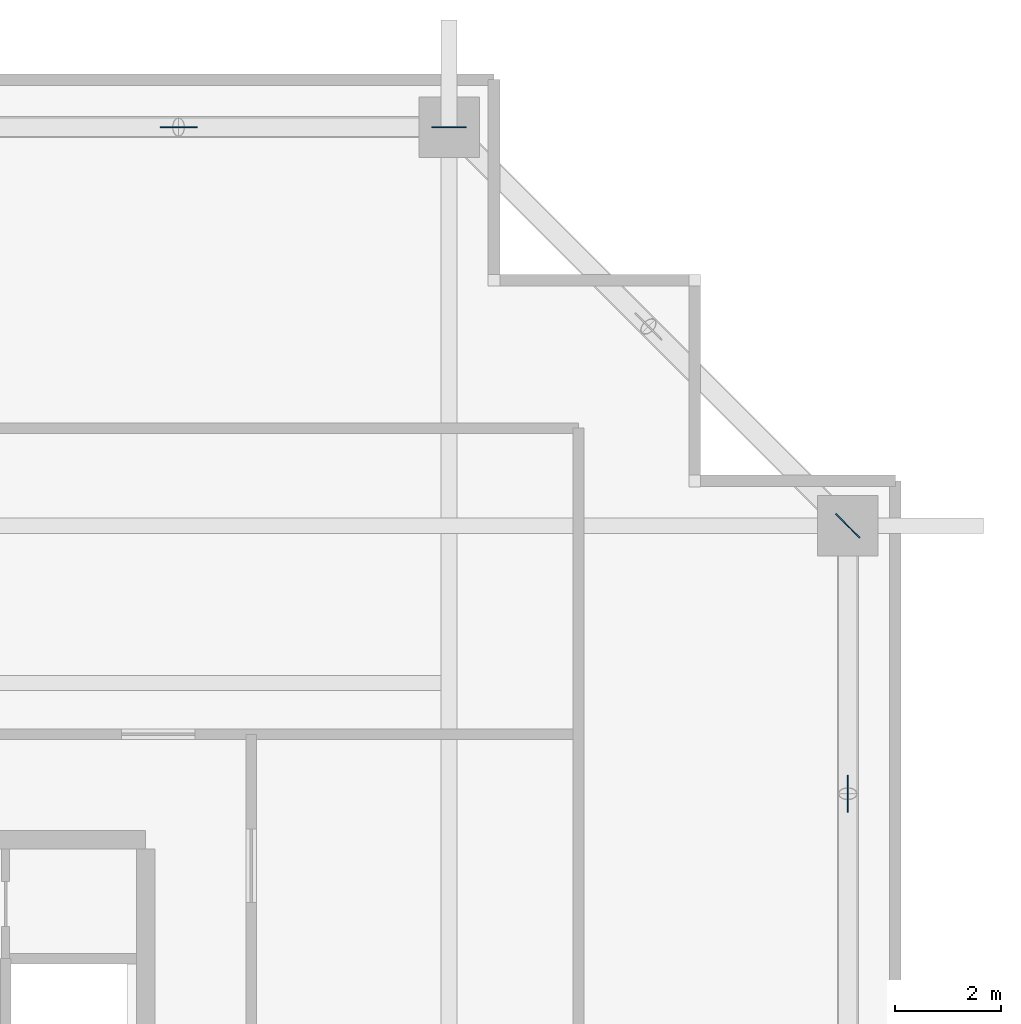
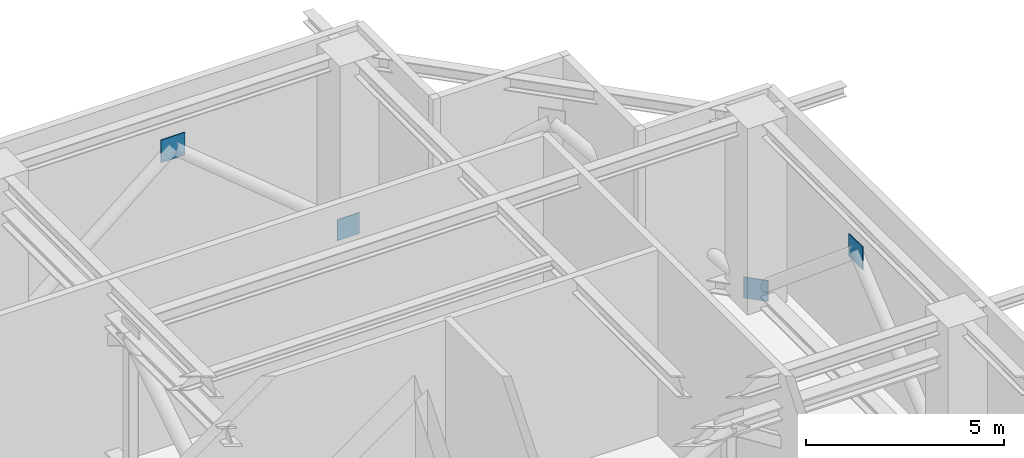
# One storey, part 14 of 22: 4 plates.
"""IFC4 building model written with IfcOpenShell, lengths in metres."""

from ifc_helpers import new_model, si_unit, direction, frame, origin, origin_2d, place, context, subcontext, project, spatial, rectangle, extrude, source, transform, mapped, material, layer, layer_set, type_object, element, save


model = new_model("IFC4")

# Units and contexts
model_context = context("Model", 3, precision=1e-05, world=origin(), true_north=direction((0.0, 1.0)))
body_context = subcontext(model_context, "Body", "Model", "MODEL_VIEW")
ifc_project = project(units=[si_unit("LENGTHUNIT", "METRE"), si_unit("AREAUNIT", "SQUARE_METRE"), si_unit("VOLUMEUNIT", "CUBIC_METRE"), si_unit("PLANEANGLEUNIT", "RADIAN"), si_unit("MASSUNIT", "GRAM", prefix="KILO")], contexts=[model_context])

# Site, building, storey
site_placement = place(None, origin())
site = spatial("IfcSite", under=ifc_project, at=site_placement, CompositionType="ELEMENT")
building_placement = place(site_placement, origin())
building = spatial("IfcBuilding", under=site, at=building_placement, Name="Serunith Strait Residences", CompositionType="ELEMENT")
storey_placement = place(building_placement, frame((0.0, 0.0, 287.449951171875)))
storey = spatial("IfcBuildingStorey", under=building, at=storey_placement, Name="L72", CompositionType="ELEMENT", Elevation=287.449951171875)

# Plates
ifc_material = material(Name="Steel S460M", Category="steel")
ifc_layer = layer(ifc_material, 0.02490234375, Name="Steel S460M")
ifc_layer_set = layer_set([ifc_layer], Name="Steel S460M")
plate_type = type_object("IfcPlateType", Name="PLT-CAP-25", PredefinedType="SHEET", material=ifc_layer_set)
shared_shape_1 = source(origin(), body_context, "Body", "SweptSolid", [
    extrude(rectangle(XDim=0.699951171875, YDim=0.02490234375, at=origin_2d()), origin(), (0.0, 0.0, 1.0), 0.699951171875),
])
for number, where, z_axis, x_axis, name in (
    (1, (54.699951171875, 34.47509765625, 4.14013671875), (0.0, 0.0, 1.0), (0.0, 1.0, 0.0), "L72 Belt Truss Apex Gusset 07"),
    (2, (42.02490234375, 47.10009765625, 4.14013671875), (0.0, 0.0, 1.0), (-1.0, 0.0, 0.0), "L72 Belt Truss Apex Gusset 09"),
):
    element("IfcPlate", number, at=place(storey_placement, frame(where, z_axis=z_axis, x_axis=x_axis)), inside=storey, type_object=plate_type, Name=name, PredefinedType="SHEET", context=body_context, shape_type="MappedRepresentation", body=[
        mapped(shared_shape_1, transform((0.0, 0.0, 0.0), scale=1.0)),
    ])
shared_shape_2 = source(origin(), body_context, "Body", "SweptSolid", [
    extrude(rectangle(XDim=0.64990234375, YDim=0.02490234375, at=origin_2d()), origin(), (0.0, 0.0, 1.0), 0.64990234375),
])
for number, where, z_axis, x_axis, name in (
    (3, (54.699951171875, 39.550048828125, -0.074951171875), (0.0, 0.0, 1.0), (-0.707106781187, 0.707106781187, 0.0), "L72 Belt Truss Column Node Plate 08"),
    (4, (47.14990234375, 47.10009765625, -0.074951171875), (0.0, 0.0, 1.0), (-1.0, 0.0, 0.0), "L72 Belt Truss Column Node Plate 09"),
):
    element("IfcPlate", number, at=place(storey_placement, frame(where, z_axis=z_axis, x_axis=x_axis)), inside=storey, type_object=plate_type, Name=name, PredefinedType="SHEET", context=body_context, shape_type="MappedRepresentation", body=[
        mapped(shared_shape_2, transform((0.0, 0.0, 0.0), scale=1.0)),
    ])

save(model, "model.ifc")
